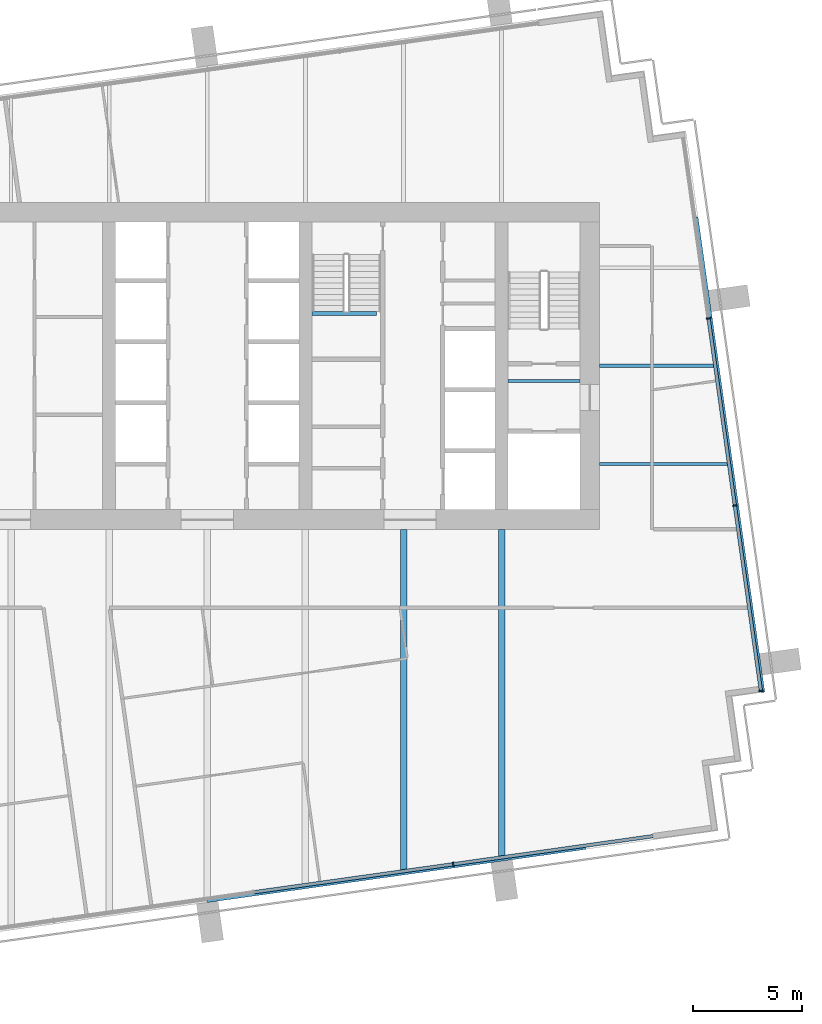
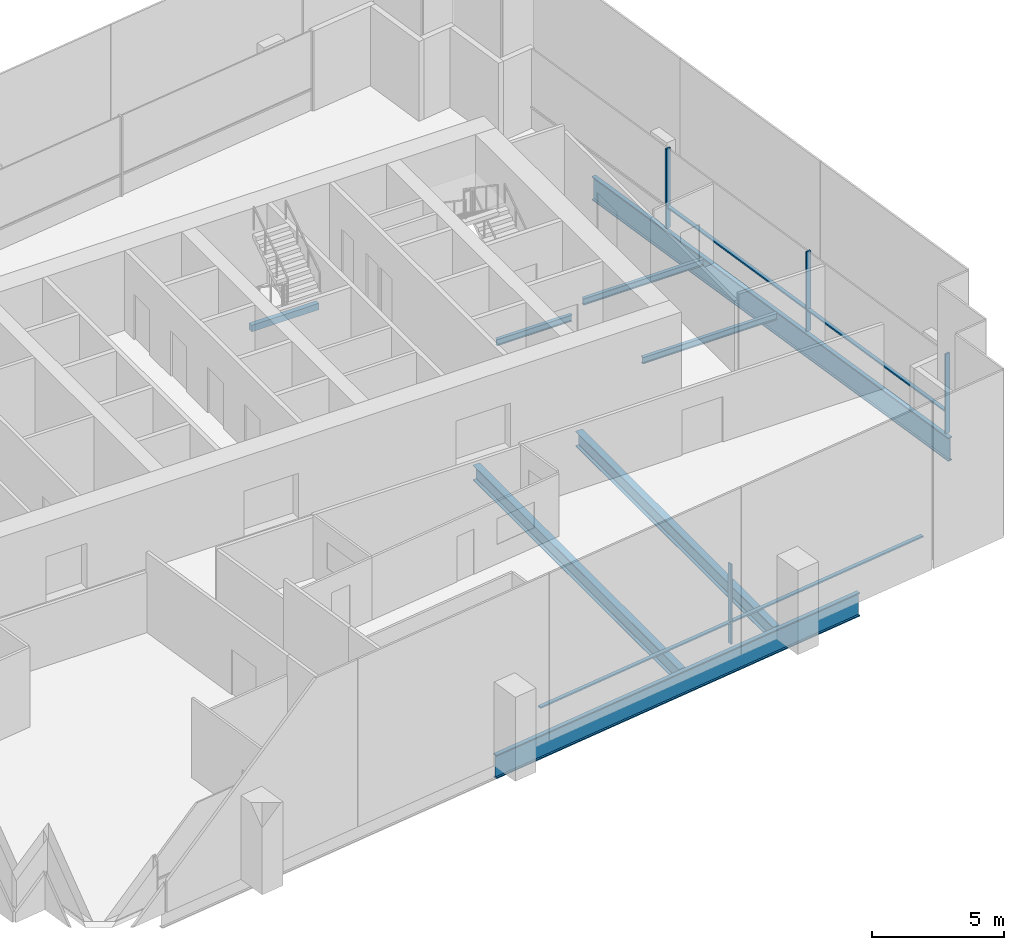
# One storey, part 4 of 15: 8 beams, 8 members, 2 elements without a shape of their own.
"""IFC4 building model written with IfcOpenShell, lengths in metres."""

from ifc_helpers import new_model, si_unit, direction, frame, origin, origin_2d, place, context, subcontext, project, spatial, rectangle, i_section, extrude, material, layer, layer_set, material_profile, profile_set, type_object, element, aggregate, save


model = new_model("IFC4")

# Units and contexts
model_context = context("Model", 3, precision=1e-05, world=origin(), true_north=direction((0.0, 1.0)))
body_context = subcontext(model_context, "Body", "Model", "MODEL_VIEW")
ifc_project = project(units=[si_unit("LENGTHUNIT", "METRE"), si_unit("AREAUNIT", "SQUARE_METRE"), si_unit("VOLUMEUNIT", "CUBIC_METRE"), si_unit("PLANEANGLEUNIT", "RADIAN"), si_unit("MASSUNIT", "GRAM", prefix="KILO")], contexts=[model_context])

# Site, building, storey
site_placement = place(None, origin())
site = spatial("IfcSite", under=ifc_project, at=site_placement, CompositionType="ELEMENT")
building_placement = place(site_placement, origin())
building = spatial("IfcBuilding", under=site, at=building_placement, Name="Rattan Terrace Tower", CompositionType="ELEMENT")
storey_placement = place(building_placement, frame((0.0, 0.0, 255.10009765625)))
storey = spatial("IfcBuildingStorey", under=building, at=storey_placement, Name="L58", CompositionType="ELEMENT", Elevation=255.10009765625)

# Beams
ifc_material_1 = material(Name="Concrete C40/50", Category="concrete")
ifc_material_profile_1 = material_profile(ifc_material_1, rectangle(XDim=0.199951171875, YDim=0.300048828125, at=origin_2d()), Name="RC 200x300")
ifc_profile_set_1 = profile_set([ifc_material_profile_1], Name="Concrete C40/50")
beam_type_1 = type_object("IfcBeamType", Name="Core landing beam RC 200x300", PredefinedType="BEAM", material=ifc_profile_set_1)
beam_1_placement = place(storey_placement, frame((4.800048828125, 2.39990234375, 1.599853515625), z_axis=(1.0, 0.0, 0.0), x_axis=(0.0, 1.0, 0.0)))
element("IfcBeam", 1, at=beam_1_placement, inside=storey, type_object=beam_type_1, Name="st-S3-L58 landing 1 edge beam", PredefinedType="BEAM", context=body_context, shape_type="SweptSolid", body=[
    extrude(rectangle(XDim=0.199951171875, YDim=0.300048828125, at=origin_2d()), origin(), (0.0, 0.0, 1.0), 2.949951171875),
])
ifc_material_2 = material(Name="Steel S460", Category="steel")
ifc_material_profile_2 = material_profile(ifc_material_2, i_section(OverallWidth=0.179931640625, OverallDepth=1.10009765625, WebThickness=0.01611328125, FlangeThickness=0.050048828125, at=origin_2d()), Name="PG 1100x180-16-50")
ifc_profile_set_2 = profile_set([ifc_material_profile_2], Name="Steel S460")
beam_type_2 = type_object("IfcBeamType", Name="Frame edge girder PG 1100x180-16-50", PredefinedType="SPANDREL", material=ifc_profile_set_2)
beam_2_placement = place(storey_placement, frame((17.347900390625, -22.087890625, -0.75), z_axis=(-0.990265878298, -0.139188685889, 0.0), x_axis=(0.139188685889, -0.990265878298, 0.0)))
element("IfcBeam", 2, at=beam_2_placement, inside=storey, type_object=beam_type_2, Name="gdr-L58-002", PredefinedType="SPANDREL", context=body_context, shape_type="SweptSolid", body=[
    extrude(i_section(OverallWidth=0.179931640625, OverallDepth=1.10009765625, WebThickness=0.01611328125, FlangeThickness=0.050048828125, at=origin_2d()), origin(), (0.0, 0.0, 1.0), 17.531494140625),
])
beam_3_placement = place(storey_placement, frame((22.4189453125, 6.822998046875, -0.75), z_axis=(0.139180574959, -0.990267018311, 0.0), x_axis=(0.990267018311, 0.139180574959, 0.0)))
element("IfcBeam", 3, at=beam_3_placement, inside=storey, type_object=beam_type_2, Name="gdr-L58-004", PredefinedType="SPANDREL", context=body_context, shape_type="SweptSolid", body=[
    extrude(i_section(OverallWidth=0.179931640625, OverallDepth=1.10009765625, WebThickness=0.01611328125, FlangeThickness=0.050048828125, at=origin_2d()), origin(), (0.0, 0.0, 1.0), 22.014404296875),
])
ifc_material_3 = material(Name="Steel S355", Category="steel")
ifc_material_profile_3 = material_profile(ifc_material_3, i_section(OverallWidth=0.300048828125, OverallDepth=0.699951171875, WebThickness=0.01708984375, FlangeThickness=0.031982421875, FilletRadius=0.027099609375, at=origin_2d()), Name="HE 700 B")
ifc_profile_set_3 = profile_set([ifc_material_profile_3], Name="Steel S355")
beam_type_3 = type_object("IfcBeamType", Name="Frame floor beam HE 700 B", PredefinedType="JOIST", material=ifc_profile_set_3)
beam_4_placement = place(storey_placement, frame((9.0, -23.14892578125, -0.550048828125), z_axis=(0.0, 1.0, 0.0), x_axis=(-1.0, 0.0, 0.0)))
element("IfcBeam", 4, at=beam_4_placement, inside=storey, type_object=beam_type_3, Name="bm-L58-008", PredefinedType="JOIST", context=body_context, shape_type="SweptSolid", body=[
    extrude(i_section(OverallWidth=0.300048828125, OverallDepth=0.699951171875, WebThickness=0.01708984375, FlangeThickness=0.031982421875, FilletRadius=0.027099609375, at=origin_2d()), origin(), (0.0, 0.0, 1.0), 15.64892578125),
])
beam_5_placement = place(storey_placement, frame((13.5, -22.51708984375, -0.550048828125), z_axis=(0.0, 1.0, 0.0), x_axis=(-1.0, 0.0, 0.0)))
element("IfcBeam", 5, at=beam_5_placement, inside=storey, type_object=beam_type_3, Name="bm-L58-009", PredefinedType="JOIST", context=body_context, shape_type="SweptSolid", body=[
    extrude(i_section(OverallWidth=0.300048828125, OverallDepth=0.699951171875, WebThickness=0.01708984375, FlangeThickness=0.031982421875, FilletRadius=0.027099609375, at=origin_2d()), origin(), (0.0, 0.0, 1.0), 15.01708984375),
])
ifc_material_4 = material(Name="Steel S355", Category="steel")
ifc_material_profile_4 = material_profile(ifc_material_4, i_section(OverallWidth=0.14990234375, OverallDepth=0.300048828125, WebThickness=0.007080078125, FlangeThickness=0.0107421875, FilletRadius=0.014892578125, at=origin_2d()), Name="IPE 300")
ifc_profile_set_4 = profile_set([ifc_material_profile_4], Name="Steel S355")
beam_type_4 = type_object("IfcBeamType", Name="Frame floor beam IPE 300", PredefinedType="JOIST", material=ifc_profile_set_4)
beam_6_placement = place(storey_placement, frame((13.800048828125, -0.695068359375, -0.35009765625), z_axis=(1.0, 0.0, 0.0), x_axis=(0.0, 1.0, 0.0)))
element("IfcBeam", 6, at=beam_6_placement, inside=storey, type_object=beam_type_4, Name="bm-L58-002", PredefinedType="JOIST", context=body_context, shape_type="SweptSolid", body=[
    extrude(i_section(OverallWidth=0.14990234375, OverallDepth=0.300048828125, WebThickness=0.007080078125, FlangeThickness=0.0107421875, FilletRadius=0.014892578125, at=origin_2d()), origin(), (0.0, 0.0, 1.0), 3.300048828125),
])
beam_7_placement = place(storey_placement, frame((18.0, -4.5, -0.35009765625), z_axis=(1.0, 0.0, 0.0), x_axis=(0.0, 1.0, 0.0)))
element("IfcBeam", 7, at=beam_7_placement, inside=storey, type_object=beam_type_4, Name="bm-L58-011", PredefinedType="JOIST", context=body_context, shape_type="SweptSolid", body=[
    extrude(i_section(OverallWidth=0.14990234375, OverallDepth=0.300048828125, WebThickness=0.007080078125, FlangeThickness=0.0107421875, FilletRadius=0.014892578125, at=origin_2d()), origin(), (0.0, 0.0, 1.0), 5.908935546875),
])
beam_8_placement = place(storey_placement, frame((18.0, 0.0, -0.35009765625), z_axis=(1.0, 0.0, 0.0), x_axis=(0.0, 1.0, 0.0)))
element("IfcBeam", 8, at=beam_8_placement, inside=storey, type_object=beam_type_4, Name="bm-L58-013", PredefinedType="JOIST", context=body_context, shape_type="SweptSolid", body=[
    extrude(i_section(OverallWidth=0.14990234375, OverallDepth=0.300048828125, WebThickness=0.007080078125, FlangeThickness=0.0107421875, FilletRadius=0.014892578125, at=origin_2d()), origin(), (0.0, 0.0, 1.0), 5.277099609375),
])

# Curtain wall, members
ifc_material_5 = material(Name="Aluminium and laminated glass", Category="aluminium")
ifc_layer = layer(ifc_material_5, 0.199951171875)
ifc_layer_set = layer_set([ifc_layer], Name="High-Zone Unitised Curtain Wall")
curtain_wall_type = type_object("IfcCurtainWallType", Name="High-Zone Unitised Curtain Wall", PredefinedType="NOTDEFINED", material=ifc_layer_set)
curtain_wall_1_placement = place(storey_placement, origin())
curtain_wall_1 = element("IfcCurtainWall", 9, at=curtain_wall_1_placement, inside=storey, type_object=curtain_wall_type, Name="High-zone curtain wall L58-1", PredefinedType="NOTDEFINED")
ifc_material_6 = material(Name="Aluminium", Category="aluminium")
ifc_material_profile_5 = material_profile(ifc_material_6, rectangle(XDim=0.070068359375, YDim=0.199951171875, at=origin_2d()), Name="Aluminium 70x200")
ifc_profile_set_5 = profile_set([ifc_material_profile_5], Name="Aluminium")
member_type_1 = type_object("IfcMemberType", Name="High-Zone CW Mullion 70x200", PredefinedType="MULLION", material=ifc_profile_set_5)
member_1_placement = place(storey_placement, frame((25.3916015625, -14.908447265625, 0.0), z_axis=(0.0, 0.0, 1.0), x_axis=(-0.139191775431, 0.990265444036, 0.0)))
member_1 = element("IfcMember", 10, at=member_1_placement, type_object=member_type_1, Name="Mullion cwl-L58-001.1", PredefinedType="MULLION", context=body_context, shape_type="SweptSolid", body=[
    extrude(rectangle(XDim=0.070068359375, YDim=0.199951171875, at=origin_2d()), origin(), (0.0, 0.0, 1.0), 3.699951171875),
])
member_2_placement = place(storey_placement, frame((24.1962890625, -6.405029296875, 0.0), z_axis=(0.0, 0.0, 1.0), x_axis=(-0.139191775431, 0.990265444036, 0.0)))
member_2 = element("IfcMember", 11, at=member_2_placement, type_object=member_type_1, Name="Mullion cwl-L58-001.2", PredefinedType="MULLION", context=body_context, shape_type="SweptSolid", body=[
    extrude(rectangle(XDim=0.070068359375, YDim=0.199951171875, at=origin_2d()), origin(), (0.0, 0.0, 1.0), 3.699951171875),
])
member_3_placement = place(storey_placement, frame((22.989990234375, 2.177490234375, 0.0), z_axis=(0.0, 0.0, 1.0), x_axis=(-0.139191775431, 0.990265444036, 0.0)))
member_3 = element("IfcMember", 12, at=member_3_placement, type_object=member_type_1, Name="Mullion cwl-L58-001.3", PredefinedType="MULLION", context=body_context, shape_type="SweptSolid", body=[
    extrude(rectangle(XDim=0.070068359375, YDim=0.199951171875, at=origin_2d()), origin(), (0.0, 0.0, 1.0), 3.699951171875),
])

# Curtain wall, member
curtain_wall_2_placement = place(storey_placement, origin())
curtain_wall_2 = element("IfcCurtainWall", 13, at=curtain_wall_2_placement, inside=storey, type_object=curtain_wall_type, Name="High-zone curtain wall L58-4", PredefinedType="NOTDEFINED")
member_4_placement = place(storey_placement, frame((11.27734375, -22.859619140625, 0.0), z_axis=(0.0, 0.0, 1.0), x_axis=(0.990265894013, 0.139188574079, 0.0)))
member_4 = element("IfcMember", 14, at=member_4_placement, type_object=member_type_1, Name="Mullion cwl-L58-004.4", PredefinedType="MULLION", context=body_context, shape_type="SweptSolid", body=[
    extrude(rectangle(XDim=0.070068359375, YDim=0.199951171875, at=origin_2d()), origin(), (0.0, 0.0, 1.0), 3.699951171875),
])

# Member
ifc_material_7 = material(Name="Aluminium", Category="aluminium")
ifc_material_profile_6 = material_profile(ifc_material_7, rectangle(XDim=0.159912109375, YDim=0.070068359375, at=origin_2d()), Name="Aluminium 160x70")
ifc_profile_set_6 = profile_set([ifc_material_profile_6], Name="Aluminium")
member_type_2 = type_object("IfcMemberType", Name="High-Zone CW Transom 160x70", PredefinedType="USERDEFINED", material=ifc_profile_set_6)
member_5_placement = place(storey_placement, frame((25.38671875, -14.873779296875, 1.0), z_axis=(-0.139197734293, 0.99026460644, 0.0), x_axis=(-0.99026460644, -0.139197734293, 0.0)))
member_5 = element("IfcMember", 15, at=member_5_placement, type_object=member_type_2, Name="Transom cwl-L58-001.1", ObjectType="TRANSOM", PredefinedType="USERDEFINED", context=body_context, shape_type="SweptSolid", body=[
    extrude(rectangle(XDim=0.159912109375, YDim=0.070068359375, at=origin_2d()), origin(), (0.0, 0.0, 1.0), 8.51708984375),
])

member_6_placement = place(storey_placement, frame((24.19140625, -6.370361328125, 1.0), z_axis=(-0.139182599995, 0.990266733693, 0.0), x_axis=(-0.990266733693, -0.139182599995, 0.0)))
member_6 = element("IfcMember", 16, at=member_6_placement, type_object=member_type_2, Name="Transom cwl-L58-001.2", ObjectType="TRANSOM", PredefinedType="USERDEFINED", context=body_context, shape_type="SweptSolid", body=[
    extrude(rectangle(XDim=0.159912109375, YDim=0.070068359375, at=origin_2d()), origin(), (0.0, 0.0, 1.0), 8.596923828125),
])

aggregate(curtain_wall_1, [member_1, member_2, member_3, member_5, member_6])

member_7_placement = place(storey_placement, frame((2.15283203125, -24.14208984375, 1.0), z_axis=(0.990266662415, 0.139183107123, 0.0), x_axis=(-0.139183107123, 0.990266662415, 0.0)))
member_7 = element("IfcMember", 17, at=member_7_placement, type_object=member_type_2, Name="Transom cwl-L58-004.3", ObjectType="TRANSOM", PredefinedType="USERDEFINED", context=body_context, shape_type="SweptSolid", body=[
    extrude(rectangle(XDim=0.159912109375, YDim=0.070068359375, at=origin_2d()), origin(), (0.0, 0.0, 1.0), 9.17919921875),
])

member_8_placement = place(storey_placement, frame((11.31201171875, -22.854736328125, 1.0), z_axis=(0.990263767768, 0.139203700545, 0.0), x_axis=(-0.139203700545, 0.990263767768, 0.0)))
member_8 = element("IfcMember", 18, at=member_8_placement, type_object=member_type_2, Name="Transom cwl-L58-004.4", ObjectType="TRANSOM", PredefinedType="USERDEFINED", context=body_context, shape_type="SweptSolid", body=[
    extrude(rectangle(XDim=0.159912109375, YDim=0.070068359375, at=origin_2d()), origin(), (0.0, 0.0, 1.0), 9.21826171875),
])

aggregate(curtain_wall_2, [member_4, member_7, member_8])

save(model, "model.ifc")
